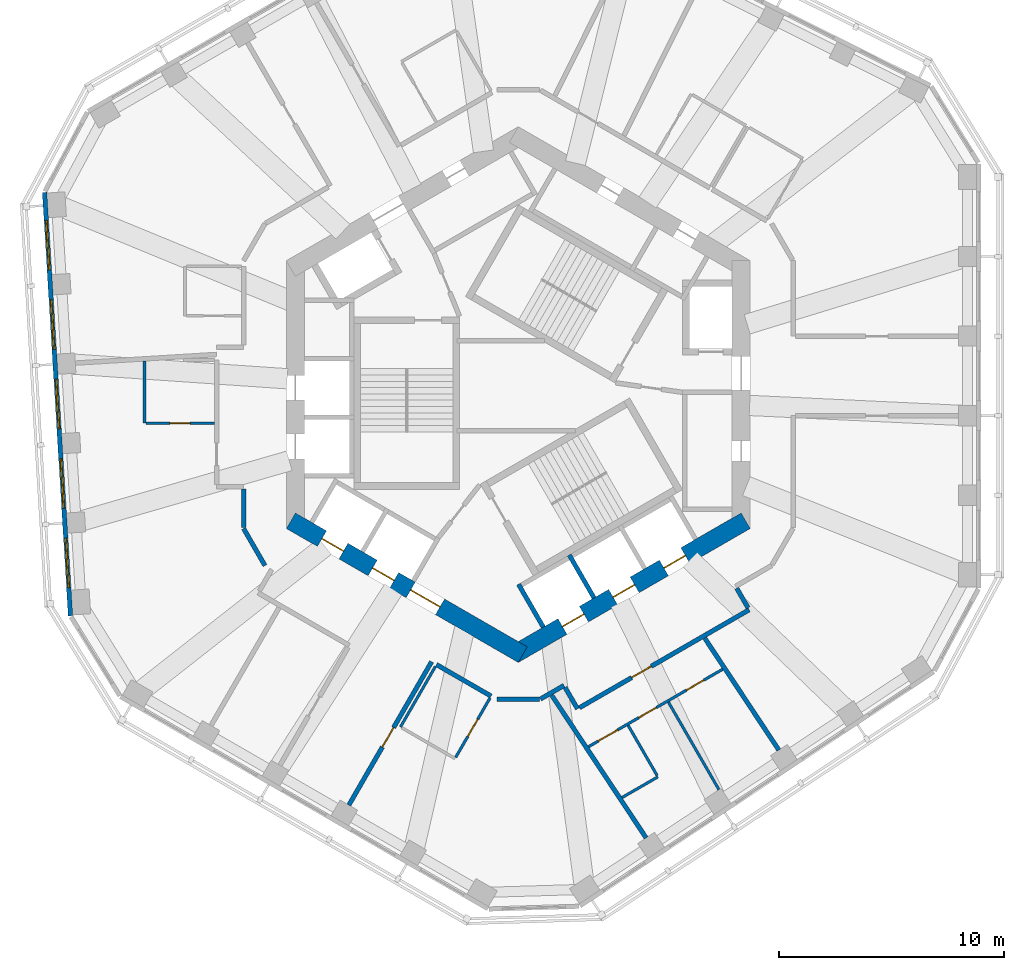
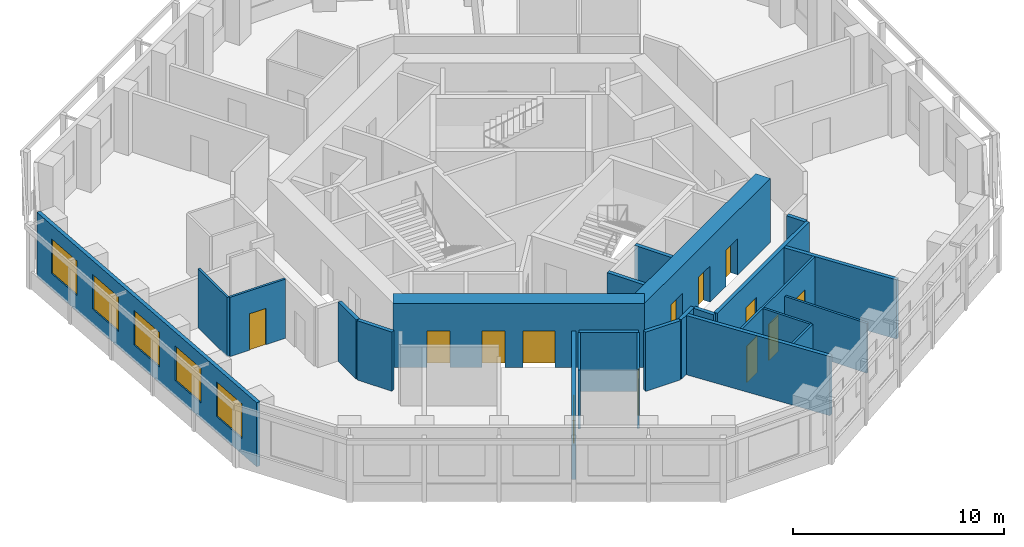
# One storey, part 4 of 11: 24 walls, 13 doors, 5 windows, 18 openings.
"""IFC4 building model written with IfcOpenShell, lengths in metres."""

from ifc_helpers import new_model, si_unit, direction, frame, frame_2d, origin, place, context, subcontext, project, spatial, rectangle, extrude, material, layer, layer_set, type_object, element, fill, save


model = new_model("IFC4")

# Units and contexts
model_context = context("Model", 3, precision=1e-05, world=origin(), true_north=direction((0.0, 1.0)))
body_context = subcontext(model_context, "Body", "Model", "MODEL_VIEW")
ifc_project = project(units=[si_unit("LENGTHUNIT", "METRE"), si_unit("AREAUNIT", "SQUARE_METRE"), si_unit("VOLUMEUNIT", "CUBIC_METRE"), si_unit("PLANEANGLEUNIT", "RADIAN"), si_unit("MASSUNIT", "GRAM", prefix="KILO")], contexts=[model_context])

# Site, building, storey
site_placement = place(None, origin())
site = spatial("IfcSite", under=ifc_project, at=site_placement, CompositionType="ELEMENT")
building_placement = place(site_placement, origin())
building = spatial("IfcBuilding", under=site, at=building_placement, Name="Vanh Sen Convention Tower", CompositionType="ELEMENT")
storey_placement = place(building_placement, frame((0.0, 0.0, 236.5)))
storey = spatial("IfcBuildingStorey", under=building, at=storey_placement, Name="L58", CompositionType="ELEMENT", Elevation=236.5)

# Wall
ifc_material_1 = material(Name="Moisture-resistant gypsum board on steel studs", Category="steel")
ifc_layer_1 = layer(ifc_material_1, 0.1201171875)
ifc_layer_set_1 = layer_set([ifc_layer_1], Name="Moisture-resistant gypsum board on steel studs")
wall_type_1 = type_object("IfcWallType", Name="Bathroom partition 120", PredefinedType="PARTITIONING", material=ifc_layer_set_1)
wall_1_placement = place(storey_placement, frame((-16.60107421875, -1.2666015625, 0.0), z_axis=(0.0, 0.0, 1.0), x_axis=(0.0, 1.0, 0.0)))
element("IfcWall", 1, at=wall_1_placement, inside=storey, type_object=wall_type_1, Name="Bathroom partition 120", PredefinedType="PARTITIONING", context=body_context, shape_type="SweptSolid", body=[
    extrude(rectangle(XDim=2.75, YDim=0.1201171875, at=frame_2d((1.375, 0.0))), origin(), (0.0, 0.0, 1.0), 3.419921875),
])

# Wall, opening, door
wall_2_placement = place(storey_placement, frame((-13.5009765625, -1.2666015625, 0.0), z_axis=(0.0, 0.0, 1.0), x_axis=(-1.0, 0.0, 0.0)))
wall_2 = element("IfcWall", 2, at=wall_2_placement, inside=storey, type_object=wall_type_1, Name="Bathroom partition 120", PredefinedType="PARTITIONING", context=body_context, shape_type="SweptSolid", body=[
    extrude(rectangle(XDim=3.0400390625, YDim=0.1201171875, at=frame_2d((1.52001953125, 0.0))), origin(), (0.0, 0.0, 1.0), 3.419921875),
])
opening_1_placement = place(wall_2_placement, frame((1.070068359375, 0.0, 0.0)))
opening_1 = element("IfcOpeningElement", 3, at=opening_1_placement, cuts=wall_2, Name="Opening D56110", PredefinedType="OPENING", context=body_context, shape_type="SweptSolid", body=[
    extrude(rectangle(XDim=0.89990234375, YDim=2.10009765625, at=frame_2d((0.449951171875, 1.050048828125))), frame((0.0, 0.070068359375, 0.0), z_axis=(0.0, -1.0, 0.0), x_axis=(1.0, 0.0, 0.0)), (0.0, 0.0, 1.0), 0.14013671875),
])
ifc_material_2 = material(Name="Laminate door in steel frame", Category="steel")
door_type_1 = type_object("IfcDoorType", Name="Room internal door 900", OperationType="SINGLE_SWING_LEFT", PredefinedType="DOOR", material=ifc_material_2)
door_1_placement = place(opening_1_placement, origin())
door_1 = element("IfcDoor", 4, at=door_1_placement, inside=storey, type_object=door_type_1, Name="Internal room door D56110", OperationType="SINGLE_SWING_LEFT", OverallHeight=2.10009765625, OverallWidth=0.89990234375, PredefinedType="DOOR", context=body_context, shape_type="SweptSolid", body=[
    extrude(rectangle(XDim=0.89990234375, YDim=2.10009765625, at=frame_2d((0.449951171875, 1.050048828125))), frame((0.0, 0.02490234375, 0.0), z_axis=(0.0, -1.0, 0.0), x_axis=(1.0, 0.0, 0.0)), (0.0, 0.0, 1.0), 0.050048828125),
])
fill(opening_1, door_1)

# Wall
wall_3_placement = place(storey_placement, frame((-5.2333984375, -14.7607421875, 0.0), z_axis=(0.0, 0.0, 1.0), x_axis=(0.499967891604, 0.866043940782, 0.0)))
element("IfcWall", 5, at=wall_3_placement, inside=storey, type_object=wall_type_1, Name="Bathroom partition 120", PredefinedType="PARTITIONING", context=body_context, shape_type="SweptSolid", body=[
    extrude(rectangle(XDim=3.099853515625, YDim=0.1201171875, at=frame_2d((1.5498046875, 0.0))), origin(), (0.0, 0.0, 1.0), 3.419921875),
])

# Wall, opening, door
wall_4_placement = place(storey_placement, frame((-1.258544921875, -13.476318359375, 0.0), z_axis=(0.0, 0.0, 1.0), x_axis=(-0.500026023896, -0.86601037836, 0.0)))
wall_4 = element("IfcWall", 6, at=wall_4_placement, inside=storey, type_object=wall_type_1, Name="Bathroom partition 120", PredefinedType="PARTITIONING", context=body_context, shape_type="SweptSolid", body=[
    extrude(rectangle(XDim=3.039794921875, YDim=0.1201171875, at=frame_2d((1.52001953125, 0.0))), origin(), (0.0, 0.0, 1.0), 3.419921875),
])
opening_2_placement = place(wall_4_placement, frame((1.06982421875, 0.0, 0.0)))
opening_2 = element("IfcOpeningElement", 7, at=opening_2_placement, cuts=wall_4, Name="Opening D56113", PredefinedType="OPENING", context=body_context, shape_type="SweptSolid", body=[
    extrude(rectangle(XDim=0.89990234375, YDim=2.10009765625, at=frame_2d((0.449951171875, 1.050048828125))), frame((0.0, 0.070068359375, 0.0), z_axis=(0.0, -1.0, 0.0), x_axis=(1.0, 0.0, 0.0)), (0.0, 0.0, 1.0), 0.14013671875),
])
door_2_placement = place(opening_2_placement, origin())
door_2 = element("IfcDoor", 8, at=door_2_placement, inside=storey, type_object=door_type_1, Name="Internal room door D56113", OperationType="SINGLE_SWING_LEFT", OverallHeight=2.10009765625, OverallWidth=0.89990234375, PredefinedType="DOOR", context=body_context, shape_type="SweptSolid", body=[
    extrude(rectangle(XDim=0.89990234375, YDim=2.10009765625, at=frame_2d((0.449951171875, 1.050048828125))), frame((0.0, 0.02490234375, 0.0), z_axis=(0.0, -1.0, 0.0), x_axis=(1.0, 0.0, 0.0)), (0.0, 0.0, 1.0), 0.050048828125),
])
fill(opening_2, door_2)

# Wall, openings, doors
wall_5_placement = place(storey_placement, frame((3.11669921875, -15.6376953125, 0.0), z_axis=(0.0, 0.0, 1.0), x_axis=(0.866031365477, 0.499989673903, 0.0)))
wall_5 = element("IfcWall", 9, at=wall_5_placement, inside=storey, type_object=wall_type_1, Name="Bathroom partition 120", PredefinedType="PARTITIONING", context=body_context, shape_type="SweptSolid", body=[
    extrude(rectangle(XDim=6.880615234375, YDim=0.1201171875, at=frame_2d((3.4404296875, 0.0))), origin(), (0.0, 0.0, 1.0), 3.419921875),
])
opening_3_placement = place(wall_5_placement, frame((0.5, 0.0, 0.0)))
opening_3 = element("IfcOpeningElement", 10, at=opening_3_placement, cuts=wall_5, Name="Opening D56115", PredefinedType="OPENING", context=body_context, shape_type="SweptSolid", body=[
    extrude(rectangle(XDim=1.0, YDim=2.10009765625, at=frame_2d((0.5, 1.050048828125))), frame((0.0, 0.070068359375, 0.0), z_axis=(0.0, -1.0, 0.0), x_axis=(1.0, 0.0, 0.0)), (0.0, 0.0, 1.0), 0.14013671875),
])
opening_4_placement = place(wall_5_placement, frame((2.58251953125, 0.0, 0.0)))
opening_4 = element("IfcOpeningElement", 11, at=opening_4_placement, cuts=wall_5, Name="Opening D56116", PredefinedType="OPENING", context=body_context, shape_type="SweptSolid", body=[
    extrude(rectangle(XDim=0.89990234375, YDim=2.10009765625, at=frame_2d((0.449951171875, 1.050048828125))), frame((0.0, 0.070068359375, 0.0), z_axis=(0.0, -1.0, 0.0), x_axis=(1.0, 0.0, 0.0)), (0.0, 0.0, 1.0), 0.14013671875),
])
opening_5_placement = place(wall_5_placement, frame((5.022705078125, 0.0, 0.0)))
opening_5 = element("IfcOpeningElement", 12, at=opening_5_placement, cuts=wall_5, Name="Opening D56117", PredefinedType="OPENING", context=body_context, shape_type="SweptSolid", body=[
    extrude(rectangle(XDim=0.89990234375, YDim=2.10009765625, at=frame_2d((0.449951171875, 1.050048828125))), frame((0.0, 0.070068359375, 0.0), z_axis=(0.0, -1.0, 0.0), x_axis=(1.0, 0.0, 0.0)), (0.0, 0.0, 1.0), 0.14013671875),
])
door_type_2 = type_object("IfcDoorType", Name="Accessible WC door 1000", OperationType="SINGLE_SWING_LEFT", PredefinedType="DOOR", material=ifc_material_2)
door_3_placement = place(opening_3_placement, origin())
door_3 = element("IfcDoor", 13, at=door_3_placement, inside=storey, type_object=door_type_2, Name="Accessible WC door D56115", OperationType="SINGLE_SWING_LEFT", OverallHeight=2.10009765625, OverallWidth=1.0, PredefinedType="DOOR", context=body_context, shape_type="SweptSolid", body=[
    extrude(rectangle(XDim=1.0, YDim=2.10009765625, at=frame_2d((0.5, 1.050048828125))), frame((0.0, 0.02490234375, 0.0), z_axis=(0.0, -1.0, 0.0), x_axis=(1.0, 0.0, 0.0)), (0.0, 0.0, 1.0), 0.050048828125),
])
fill(opening_3, door_3)
door_4_placement = place(opening_4_placement, origin())
door_4 = element("IfcDoor", 14, at=door_4_placement, inside=storey, type_object=door_type_1, Name="Internal room door D56116", OperationType="SINGLE_SWING_LEFT", OverallHeight=2.10009765625, OverallWidth=0.89990234375, PredefinedType="DOOR", context=body_context, shape_type="SweptSolid", body=[
    extrude(rectangle(XDim=0.89990234375, YDim=2.10009765625, at=frame_2d((0.449951171875, 1.050048828125))), frame((0.0, 0.02490234375, 0.0), z_axis=(0.0, -1.0, 0.0), x_axis=(1.0, 0.0, 0.0)), (0.0, 0.0, 1.0), 0.050048828125),
])
fill(opening_4, door_4)
door_5_placement = place(opening_5_placement, origin())
door_5 = element("IfcDoor", 15, at=door_5_placement, inside=storey, type_object=door_type_1, Name="Internal room door D56117", OperationType="SINGLE_SWING_LEFT", OverallHeight=2.10009765625, OverallWidth=0.89990234375, PredefinedType="DOOR", context=body_context, shape_type="SweptSolid", body=[
    extrude(rectangle(XDim=0.89990234375, YDim=2.10009765625, at=frame_2d((0.449951171875, 1.050048828125))), frame((0.0, 0.02490234375, 0.0), z_axis=(0.0, -1.0, 0.0), x_axis=(1.0, 0.0, 0.0)), (0.0, 0.0, 1.0), 0.050048828125),
])
fill(opening_5, door_5)

# Walls
wall_6_placement = place(storey_placement, frame((4.60986328125, -17.893310546875, 0.0), z_axis=(0.0, 0.0, 1.0), x_axis=(0.866023842607, 0.500002704028, 0.0)))
element("IfcWall", 16, at=wall_6_placement, inside=storey, type_object=wall_type_1, Name="Bathroom partition 120", PredefinedType="PARTITIONING", context=body_context, shape_type="SweptSolid", body=[
    extrude(rectangle(XDim=1.8349609375, YDim=0.1201171875, at=frame_2d((0.91748046875, 0.0))), origin(), (0.0, 0.0, 1.0), 3.419921875),
])
wall_7_placement = place(storey_placement, frame((6.1689453125, -16.923828125, 0.0), z_axis=(0.0, 0.0, 1.0), x_axis=(-0.500047388771, 0.865998042136, 0.0)))
element("IfcWall", 17, at=wall_7_placement, inside=storey, type_object=wall_type_1, Name="Bathroom partition 120", PredefinedType="PARTITIONING", context=body_context, shape_type="SweptSolid", body=[
    extrude(rectangle(XDim=2.579833984375, YDim=0.1201171875, at=frame_2d((1.2900390625, 0.0))), origin(), (0.0, 0.0, 1.0), 3.419921875),
])
wall_8_placement = place(storey_placement, frame((8.912353515625, -17.54541015625, 0.0), z_axis=(0.0, 0.0, 1.0), x_axis=(-0.500022113525, 0.866012636158, 0.0)))
element("IfcWall", 18, at=wall_8_placement, inside=storey, type_object=wall_type_1, Name="Bathroom partition 120", PredefinedType="PARTITIONING", context=body_context, shape_type="SweptSolid", body=[
    extrude(rectangle(XDim=4.489990234375, YDim=0.1201171875, at=frame_2d((2.2451171875, 0.0))), origin(), (0.0, 0.0, 1.0), 2.8701171875),
])

# Wall, openings, doors
ifc_material_3 = material(Name="Concrete C60/75", Category="concrete")
ifc_layer_2 = layer(ifc_material_3, 0.800048828125)
ifc_layer_set_2 = layer_set([ifc_layer_2], Name="Concrete C60/75")
wall_type_2 = type_object("IfcWallType", Name="Core outer wall 800 C60/75", PredefinedType="SHEAR", material=ifc_layer_set_2)
wall_9_placement = place(storey_placement, frame((-10.10009765625, -5.600341796875, 0.0), z_axis=(0.0, 0.0, 1.0), x_axis=(0.866023897231, -0.500002609418, 0.0)))
wall_9 = element("IfcWall", 19, at=wall_9_placement, inside=storey, type_object=wall_type_2, Name="Core wall face SW L58", PredefinedType="SHEAR", context=body_context, shape_type="SweptSolid", body=[
    extrude(rectangle(XDim=11.8935546875, YDim=0.800048828125, at=frame_2d((5.94677734375, 0.0))), origin(), (0.0, 0.0, 1.0), 3.699951171875),
])
opening_6_placement = place(wall_9_placement, frame((6.146728515625, 0.0, 0.0)))
opening_6 = element("IfcOpeningElement", 20, at=opening_6_placement, cuts=wall_9, Name="Opening D56003", PredefinedType="OPENING", context=body_context, shape_type="SweptSolid", body=[
    extrude(rectangle(XDim=1.5, YDim=2.10009765625, at=frame_2d((0.75, 1.050048828125))), frame((0.0, 0.409912109375, 0.0), z_axis=(0.0, -1.0, 0.0), x_axis=(1.0, 0.0, 0.0)), (0.0, 0.0, 1.0), 0.820068359375),
])
opening_7_placement = place(wall_9_placement, frame((1.5966796875, 0.0, 0.0)))
opening_7 = element("IfcOpeningElement", 21, at=opening_7_placement, cuts=wall_9, Name="Opening LD-HR3", PredefinedType="OPENING", context=body_context, shape_type="SweptSolid", body=[
    extrude(rectangle(XDim=1.10009765625, YDim=2.10009765625, at=frame_2d((0.550048828125, 1.050048828125))), frame((0.0, 0.409912109375, 0.0), z_axis=(0.0, -1.0, 0.0), x_axis=(1.0, 0.0, 0.0)), (0.0, 0.0, 1.0), 0.820068359375),
])
opening_8_placement = place(wall_9_placement, frame((4.19677734375, 0.0, 0.0)))
opening_8 = element("IfcOpeningElement", 22, at=opening_8_placement, cuts=wall_9, Name="Opening LD-HR4", PredefinedType="OPENING", context=body_context, shape_type="SweptSolid", body=[
    extrude(rectangle(XDim=1.10009765625, YDim=2.10009765625, at=frame_2d((0.550048828125, 1.050048828125))), frame((0.0, 0.409912109375, 0.0), z_axis=(0.0, -1.0, 0.0), x_axis=(1.0, 0.0, 0.0)), (0.0, 0.0, 1.0), 0.820068359375),
])
ifc_material_4 = material(Name="Stainless steel", Category="steel")
door_type_3 = type_object("IfcDoorType", Name="Lift landing door 1100", OperationType="DOUBLE_DOOR_SLIDING", PredefinedType="DOOR", material=ifc_material_4)
door_6_placement = place(opening_7_placement, origin())
door_6 = element("IfcDoor", 23, at=door_6_placement, inside=storey, type_object=door_type_3, Name="Lift HR3 landing door LD-HR3", OperationType="DOUBLE_DOOR_SLIDING", OverallHeight=2.10009765625, OverallWidth=1.10009765625, PredefinedType="DOOR", context=body_context, shape_type="SweptSolid", body=[
    extrude(rectangle(XDim=1.10009765625, YDim=2.10009765625, at=frame_2d((0.550048828125, 1.050048828125))), frame((0.0, 0.02490234375, 0.0), z_axis=(0.0, -1.0, 0.0), x_axis=(1.0, 0.0, 0.0)), (0.0, 0.0, 1.0), 0.050048828125),
])
fill(opening_7, door_6)
door_7_placement = place(opening_8_placement, origin())
door_7 = element("IfcDoor", 24, at=door_7_placement, inside=storey, type_object=door_type_3, Name="Lift HR4 landing door LD-HR4", OperationType="DOUBLE_DOOR_SLIDING", OverallHeight=2.10009765625, OverallWidth=1.10009765625, PredefinedType="DOOR", context=body_context, shape_type="SweptSolid", body=[
    extrude(rectangle(XDim=1.10009765625, YDim=2.10009765625, at=frame_2d((0.550048828125, 1.050048828125))), frame((0.0, 0.02490234375, 0.0), z_axis=(0.0, -1.0, 0.0), x_axis=(1.0, 0.0, 0.0)), (0.0, 0.0, 1.0), 0.050048828125),
])
fill(opening_8, door_7)
ifc_material_5 = material(Name="Steel S355", Category="steel")
door_type_4 = type_object("IfcDoorType", Name="Stair lobby door 1500", OperationType="DOUBLE_DOOR_SINGLE_SWING", PredefinedType="DOOR", material=ifc_material_5)
door_8_placement = place(opening_6_placement, origin())
door_8 = element("IfcDoor", 25, at=door_8_placement, inside=storey, type_object=door_type_4, Name="Stair lobby door D56003", OperationType="DOUBLE_DOOR_SINGLE_SWING", OverallHeight=2.10009765625, OverallWidth=1.5, PredefinedType="DOOR", context=body_context, shape_type="SweptSolid", body=[
    extrude(rectangle(XDim=1.5, YDim=2.10009765625, at=frame_2d((0.75, 1.050048828125))), frame((0.0, 0.02490234375, 0.0), z_axis=(0.0, -1.0, 0.0), x_axis=(1.0, 0.0, 0.0)), (0.0, 0.0, 1.0), 0.050048828125),
])
fill(opening_6, door_8)

wall_10_placement = place(storey_placement, frame((-0.199951171875, -11.547119140625, 0.0), z_axis=(0.0, 0.0, 1.0), x_axis=(0.866023897231, 0.500002609418, 0.0)))
wall_10 = element("IfcWall", 26, at=wall_10_placement, inside=storey, type_object=wall_type_2, Name="Core wall face SE L58", PredefinedType="SHEAR", context=body_context, shape_type="SweptSolid", body=[
    extrude(rectangle(XDim=11.8935546875, YDim=0.800048828125, at=frame_2d((5.94677734375, 0.0))), origin(), (0.0, 0.0, 1.0), 3.699951171875),
])
opening_9_placement = place(wall_10_placement, frame((2.49658203125, 0.0, 0.0)))
opening_9 = element("IfcOpeningElement", 27, at=opening_9_placement, cuts=wall_10, Name="Opening LD-HR5", PredefinedType="OPENING", context=body_context, shape_type="SweptSolid", body=[
    extrude(rectangle(XDim=1.10009765625, YDim=2.10009765625, at=frame_2d((0.550048828125, 1.050048828125))), frame((0.0, 0.409912109375, 0.0), z_axis=(0.0, -1.0, 0.0), x_axis=(1.0, 0.0, 0.0)), (0.0, 0.0, 1.0), 0.820068359375),
])
opening_10_placement = place(wall_10_placement, frame((5.0966796875, 0.0, 0.0)))
opening_10 = element("IfcOpeningElement", 28, at=opening_10_placement, cuts=wall_10, Name="Opening LD-HR6", PredefinedType="OPENING", context=body_context, shape_type="SweptSolid", body=[
    extrude(rectangle(XDim=1.10009765625, YDim=2.10009765625, at=frame_2d((0.550048828125, 1.050048828125))), frame((0.0, 0.409912109375, 0.0), z_axis=(0.0, -1.0, 0.0), x_axis=(1.0, 0.0, 0.0)), (0.0, 0.0, 1.0), 0.820068359375),
])
opening_11_placement = place(wall_10_placement, frame((7.69677734375, 0.0, 0.0)))
opening_11 = element("IfcOpeningElement", 29, at=opening_11_placement, cuts=wall_10, Name="Opening LD-SV1", PredefinedType="OPENING", context=body_context, shape_type="SweptSolid", body=[
    extrude(rectangle(XDim=1.10009765625, YDim=2.10009765625, at=frame_2d((0.550048828125, 1.050048828125))), frame((0.0, 0.409912109375, 0.0), z_axis=(0.0, -1.0, 0.0), x_axis=(1.0, 0.0, 0.0)), (0.0, 0.0, 1.0), 0.820068359375),
])
door_9_placement = place(opening_9_placement, origin())
door_9 = element("IfcDoor", 30, at=door_9_placement, inside=storey, type_object=door_type_3, Name="Lift HR5 landing door LD-HR5", OperationType="DOUBLE_DOOR_SLIDING", OverallHeight=2.10009765625, OverallWidth=1.10009765625, PredefinedType="DOOR", context=body_context, shape_type="SweptSolid", body=[
    extrude(rectangle(XDim=1.10009765625, YDim=2.10009765625, at=frame_2d((0.550048828125, 1.050048828125))), frame((0.0, 0.02490234375, 0.0), z_axis=(0.0, -1.0, 0.0), x_axis=(1.0, 0.0, 0.0)), (0.0, 0.0, 1.0), 0.050048828125),
])
fill(opening_9, door_9)
door_10_placement = place(opening_10_placement, origin())
door_10 = element("IfcDoor", 31, at=door_10_placement, inside=storey, type_object=door_type_3, Name="Lift HR6 landing door LD-HR6", OperationType="DOUBLE_DOOR_SLIDING", OverallHeight=2.10009765625, OverallWidth=1.10009765625, PredefinedType="DOOR", context=body_context, shape_type="SweptSolid", body=[
    extrude(rectangle(XDim=1.10009765625, YDim=2.10009765625, at=frame_2d((0.550048828125, 1.050048828125))), frame((0.0, 0.02490234375, 0.0), z_axis=(0.0, -1.0, 0.0), x_axis=(1.0, 0.0, 0.0)), (0.0, 0.0, 1.0), 0.050048828125),
])
fill(opening_10, door_10)
door_11_placement = place(opening_11_placement, origin())
door_11 = element("IfcDoor", 32, at=door_11_placement, inside=storey, type_object=door_type_3, Name="Lift SV1 landing door LD-SV1", OperationType="DOUBLE_DOOR_SLIDING", OverallHeight=2.10009765625, OverallWidth=1.10009765625, PredefinedType="DOOR", context=body_context, shape_type="SweptSolid", body=[
    extrude(rectangle(XDim=1.10009765625, YDim=2.10009765625, at=frame_2d((0.550048828125, 1.050048828125))), frame((0.0, 0.02490234375, 0.0), z_axis=(0.0, -1.0, 0.0), x_axis=(1.0, 0.0, 0.0)), (0.0, 0.0, 1.0), 0.050048828125),
])
fill(opening_11, door_11)

# Walls
ifc_material_6 = material(Name="Gypsum board on steel studs with mineral wool", Category="steel")
ifc_layer_3 = layer(ifc_material_6, 0.199951171875)
ifc_layer_set_3 = layer_set([ifc_layer_3], Name="Gypsum board on steel studs with mineral wool")
wall_type_3 = type_object("IfcWallType", Name="Corridor partition wall 200", PredefinedType="PARTITIONING", material=ifc_layer_set_3)
wall_11_placement = place(storey_placement, frame((-12.199951171875, -5.94677734375, 0.0), z_axis=(0.0, 0.0, 1.0), x_axis=(0.500022797313, -0.86601224135, 0.0)))
element("IfcWall", 33, at=wall_11_placement, inside=storey, type_object=wall_type_3, Name="Corridor partition wall 200", PredefinedType="PARTITIONING", context=body_context, shape_type="SweptSolid", body=[
    extrude(rectangle(XDim=1.89990234375, YDim=0.199951171875, at=frame_2d((0.949951171875, 0.0))), origin(), (0.0, 0.0, 1.0), 3.419921875),
])
wall_12_placement = place(storey_placement, frame((-12.199951171875, -4.200927734375, 0.0), z_axis=(0.0, 0.0, 1.0), x_axis=(0.0, -1.0, 0.0)))
element("IfcWall", 34, at=wall_12_placement, inside=storey, type_object=wall_type_3, Name="Corridor partition wall 200", PredefinedType="PARTITIONING", context=body_context, shape_type="SweptSolid", body=[
    extrude(rectangle(XDim=1.705810546875, YDim=0.199951171875, at=frame_2d((0.85302734375, 0.0))), origin(), (0.0, 0.0, 1.0), 3.419921875),
])

# Wall, opening, door
wall_13_placement = place(storey_placement, frame((-7.52490234375, -18.229736328125, 0.0), z_axis=(0.0, 0.0, 1.0), x_axis=(0.499983153418, 0.866035129944, 0.0)))
wall_13 = element("IfcWall", 35, at=wall_13_placement, inside=storey, type_object=wall_type_3, Name="Corridor partition wall 200", PredefinedType="PARTITIONING", context=body_context, shape_type="SweptSolid", body=[
    extrude(rectangle(XDim=7.349853515625, YDim=0.199951171875, at=frame_2d((3.6748046875, 0.0))), origin(), (0.0, 0.0, 1.0), 3.419921875),
])
opening_12_placement = place(wall_13_placement, frame((2.97509765625, 0.0, 0.0)))
opening_12 = element("IfcOpeningElement", 36, at=opening_12_placement, cuts=wall_13, Name="Opening D56112", PredefinedType="OPENING", context=body_context, shape_type="SweptSolid", body=[
    extrude(rectangle(XDim=1.0, YDim=2.10009765625, at=frame_2d((0.5, 1.050048828125))), frame((0.0, 0.10986328125, 0.0), z_axis=(0.0, -1.0, 0.0), x_axis=(1.0, 0.0, 0.0)), (0.0, 0.0, 1.0), 0.219970703125),
])
ifc_material_7 = material(Name="Glazed fire door in steel frame", Category="steel")
door_type_5 = type_object("IfcDoorType", Name="Tenant entrance door 1000", OperationType="SINGLE_SWING_LEFT", PredefinedType="DOOR", material=ifc_material_7)
door_12_placement = place(opening_12_placement, origin())
door_12 = element("IfcDoor", 37, at=door_12_placement, inside=storey, type_object=door_type_5, Name="Tenant suite entrance door D56112", OperationType="SINGLE_SWING_LEFT", OverallHeight=2.10009765625, OverallWidth=1.0, PredefinedType="DOOR", context=body_context, shape_type="SweptSolid", body=[
    extrude(rectangle(XDim=1.0, YDim=2.10009765625, at=frame_2d((0.5, 1.050048828125))), frame((0.0, 0.02490234375, 0.0), z_axis=(0.0, -1.0, 0.0), x_axis=(1.0, 0.0, 0.0)), (0.0, 0.0, 1.0), 0.050048828125),
])
fill(opening_12, door_12)

# Walls
wall_14_placement = place(storey_placement, frame((-3.633544921875, -11.989501953125, 0.0), z_axis=(0.0, 0.0, 1.0), x_axis=(0.866018616679, -0.500011755427, 0.0)))
element("IfcWall", 38, at=wall_14_placement, inside=storey, type_object=wall_type_3, Name="Corridor partition wall 200", PredefinedType="PARTITIONING", context=body_context, shape_type="SweptSolid", body=[
    extrude(rectangle(XDim=2.80029296875, YDim=0.199951171875, at=frame_2d((1.400146484375, 0.0))), origin(), (0.0, 0.0, 1.0), 3.419921875),
])
wall_15_placement = place(storey_placement, frame((-0.949951171875, -13.538818359375, 0.0), z_axis=(0.0, 0.0, 1.0), x_axis=(1.0, 0.0, 0.0)))
element("IfcWall", 39, at=wall_15_placement, inside=storey, type_object=wall_type_3, Name="Corridor partition wall 200", PredefinedType="PARTITIONING", context=body_context, shape_type="SweptSolid", body=[
    extrude(rectangle(XDim=1.89990234375, YDim=0.199951171875, at=frame_2d((0.949951171875, 0.0))), origin(), (0.0, 0.0, 1.0), 3.419921875),
])
wall_16_placement = place(storey_placement, frame((0.984619140625, -13.518798828125, 0.0), z_axis=(0.0, 0.0, 1.0), x_axis=(0.866054082991, 0.499950322867, 0.0)))
element("IfcWall", 40, at=wall_16_placement, inside=storey, type_object=wall_type_3, Name="Corridor partition wall 200", PredefinedType="PARTITIONING", context=body_context, shape_type="SweptSolid", body=[
    extrude(rectangle(XDim=1.20556640625, YDim=0.199951171875, at=frame_2d((0.602783203125, 0.0))), origin(), (0.0, 0.0, 1.0), 3.419921875),
])
wall_17_placement = place(storey_placement, frame((2.078857421875, -13.002685546875, 0.0), z_axis=(0.0, 0.0, 1.0), x_axis=(0.500074377092, -0.865982457891, 0.0)))
element("IfcWall", 41, at=wall_17_placement, inside=storey, type_object=wall_type_3, Name="Corridor partition wall 200", PredefinedType="PARTITIONING", context=body_context, shape_type="SweptSolid", body=[
    extrude(rectangle(XDim=1.100830078125, YDim=0.199951171875, at=frame_2d((0.55029296875, 0.0))), origin(), (0.0, 0.0, 1.0), 3.419921875),
])

# Wall, opening, door
wall_18_placement = place(storey_placement, frame((2.7158203125, -13.906005859375, 0.0), z_axis=(0.0, 0.0, 1.0), x_axis=(0.866040290674, 0.499974214264, 0.0)))
wall_18 = element("IfcWall", 42, at=wall_18_placement, inside=storey, type_object=wall_type_3, Name="Corridor partition wall 200", PredefinedType="PARTITIONING", context=body_context, shape_type="SweptSolid", body=[
    extrude(rectangle(XDim=8.7021484375, YDim=0.199951171875, at=frame_2d((4.35107421875, 0.0))), origin(), (0.0, 0.0, 1.0), 3.419921875),
])
opening_13_placement = place(wall_18_placement, frame((2.678955078125, 0.0, 0.0)))
opening_13 = element("IfcOpeningElement", 43, at=opening_13_placement, cuts=wall_18, Name="Opening D56114", PredefinedType="OPENING", context=body_context, shape_type="SweptSolid", body=[
    extrude(rectangle(XDim=1.0, YDim=2.10009765625, at=frame_2d((0.5, 1.050048828125))), frame((0.0, 0.10986328125, 0.0), z_axis=(0.0, -1.0, 0.0), x_axis=(1.0, 0.0, 0.0)), (0.0, 0.0, 1.0), 0.219970703125),
])
ifc_material_8 = material(Name="Timber fire door in steel frame", Category="steel")
door_type_6 = type_object("IfcDoorType", Name="Floor room door 1000", OperationType="SINGLE_SWING_LEFT", PredefinedType="DOOR", material=ifc_material_8)
door_13_placement = place(opening_13_placement, origin())
door_13 = element("IfcDoor", 44, at=door_13_placement, inside=storey, type_object=door_type_6, Name="Meeting and amenity room door D56114", OperationType="SINGLE_SWING_LEFT", OverallHeight=2.10009765625, OverallWidth=1.0, PredefinedType="DOOR", context=body_context, shape_type="SweptSolid", body=[
    extrude(rectangle(XDim=1.0, YDim=2.10009765625, at=frame_2d((0.5, 1.050048828125))), frame((0.0, 0.02490234375, 0.0), z_axis=(0.0, -1.0, 0.0), x_axis=(1.0, 0.0, 0.0)), (0.0, 0.0, 1.0), 0.050048828125),
])
fill(opening_13, door_13)

# Wall
wall_19_placement = place(storey_placement, frame((10.2021484375, -9.468505859375, 0.0), z_axis=(0.0, 0.0, 1.0), x_axis=(-0.499968756647, 0.866043441391, 0.0)))
element("IfcWall", 45, at=wall_19_placement, inside=storey, type_object=wall_type_3, Name="Corridor partition wall 200", PredefinedType="PARTITIONING", context=body_context, shape_type="SweptSolid", body=[
    extrude(rectangle(XDim=1.0009765625, YDim=0.199951171875, at=frame_2d((0.50048828125, 0.0))), origin(), (0.0, 0.0, 1.0), 3.419921875),
])

# Wall, openings, windows
ifc_material_9 = material(Name="Insulated lightweight infill wall")
ifc_layer_4 = layer(ifc_material_9, 0.199951171875)
ifc_layer_set_4 = layer_set([ifc_layer_4], Name="Insulated lightweight infill wall")
wall_type_4 = type_object("IfcWallType", Name="External wall 200", PredefinedType="STANDARD", material=ifc_layer_set_4)
wall_20_placement = place(storey_placement, frame((-21.03759765625, 8.983642578125, 0.0), z_axis=(0.0, 0.0, 1.0), x_axis=(0.061043935634, -0.998135079998, 0.0)))
wall_20 = element("IfcWall", 46, at=wall_20_placement, inside=storey, type_object=wall_type_4, Name="External wall W L58", PredefinedType="STANDARD", context=body_context, shape_type="SweptSolid", body=[
    extrude(rectangle(XDim=18.84130859375, YDim=0.199951171875, at=frame_2d((9.420654296875, 0.0))), origin(), (0.0, 0.0, 1.0), 3.699951171875),
])
opening_14_placement = place(wall_20_placement, frame((1.252685546875, 0.0, 0.89990234375)))
opening_14 = element("IfcOpeningElement", 47, at=opening_14_placement, cuts=wall_20, Name="Opening WO3-W1", PredefinedType="OPENING", context=body_context, shape_type="SweptSolid", body=[
    extrude(rectangle(XDim=2.199951171875, YDim=2.0, at=frame_2d((1.10009765625, 1.0))), frame((0.0, 0.10986328125, 0.0), z_axis=(0.0, -1.0, 0.0), x_axis=(1.0, 0.0, 0.0)), (0.0, 0.0, 1.0), 0.219970703125),
])
opening_15_placement = place(wall_20_placement, frame((4.7861328125, 0.0, 0.89990234375)))
opening_15 = element("IfcOpeningElement", 48, at=opening_15_placement, cuts=wall_20, Name="Opening WO3-W2", PredefinedType="OPENING", context=body_context, shape_type="SweptSolid", body=[
    extrude(rectangle(XDim=2.199951171875, YDim=2.0, at=frame_2d((1.10009765625, 1.0))), frame((0.0, 0.10986328125, 0.0), z_axis=(0.0, -1.0, 0.0), x_axis=(1.0, 0.0, 0.0)), (0.0, 0.0, 1.0), 0.219970703125),
])
opening_16_placement = place(wall_20_placement, frame((8.31982421875, 0.0, 0.89990234375)))
opening_16 = element("IfcOpeningElement", 49, at=opening_16_placement, cuts=wall_20, Name="Opening WO3-W3", PredefinedType="OPENING", context=body_context, shape_type="SweptSolid", body=[
    extrude(rectangle(XDim=2.199951171875, YDim=2.0, at=frame_2d((1.10009765625, 1.0))), frame((0.0, 0.10986328125, 0.0), z_axis=(0.0, -1.0, 0.0), x_axis=(1.0, 0.0, 0.0)), (0.0, 0.0, 1.0), 0.219970703125),
])
opening_17_placement = place(wall_20_placement, frame((11.853515625, 0.0, 0.89990234375)))
opening_17 = element("IfcOpeningElement", 50, at=opening_17_placement, cuts=wall_20, Name="Opening WO3-W4", PredefinedType="OPENING", context=body_context, shape_type="SweptSolid", body=[
    extrude(rectangle(XDim=2.199951171875, YDim=2.0, at=frame_2d((1.10009765625, 1.0))), frame((0.0, 0.10986328125, 0.0), z_axis=(0.0, -1.0, 0.0), x_axis=(1.0, 0.0, 0.0)), (0.0, 0.0, 1.0), 0.219970703125),
])
opening_18_placement = place(wall_20_placement, frame((15.38720703125, 0.0, 0.89990234375)))
opening_18 = element("IfcOpeningElement", 51, at=opening_18_placement, cuts=wall_20, Name="Opening WO3-W5", PredefinedType="OPENING", context=body_context, shape_type="SweptSolid", body=[
    extrude(rectangle(XDim=2.199951171875, YDim=2.0, at=frame_2d((1.10009765625, 1.0))), frame((0.0, 0.10986328125, 0.0), z_axis=(0.0, -1.0, 0.0), x_axis=(1.0, 0.0, 0.0)), (0.0, 0.0, 1.0), 0.219970703125),
])
ifc_material_10 = material(Name="Aluminium frame with clear low-emissivity glass", Category="aluminium")
window_type = type_object("IfcWindowType", Name="Office window 2200 x 2000", PartitioningType="SINGLE_PANEL", PredefinedType="WINDOW", material=ifc_material_10)
window_1_placement = place(opening_14_placement, origin())
window_1 = element("IfcWindow", 52, at=window_1_placement, inside=storey, type_object=window_type, Name="Window WO3-W1", OverallHeight=2.0, OverallWidth=2.199951171875, PartitioningType="SINGLE_PANEL", PredefinedType="WINDOW", context=body_context, shape_type="SweptSolid", body=[
    extrude(rectangle(XDim=2.199951171875, YDim=2.0, at=frame_2d((1.10009765625, 1.0))), frame((0.0, 0.030029296875, 0.0), z_axis=(0.0, -1.0, 0.0), x_axis=(1.0, 0.0, 0.0)), (0.0, 0.0, 1.0), 0.06005859375),
])
fill(opening_14, window_1)
window_2_placement = place(opening_15_placement, origin())
window_2 = element("IfcWindow", 53, at=window_2_placement, inside=storey, type_object=window_type, Name="Window WO3-W2", OverallHeight=2.0, OverallWidth=2.199951171875, PartitioningType="SINGLE_PANEL", PredefinedType="WINDOW", context=body_context, shape_type="SweptSolid", body=[
    extrude(rectangle(XDim=2.199951171875, YDim=2.0, at=frame_2d((1.10009765625, 1.0))), frame((0.0, 0.030029296875, 0.0), z_axis=(0.0, -1.0, 0.0), x_axis=(1.0, 0.0, 0.0)), (0.0, 0.0, 1.0), 0.06005859375),
])
fill(opening_15, window_2)
window_3_placement = place(opening_16_placement, origin())
window_3 = element("IfcWindow", 54, at=window_3_placement, inside=storey, type_object=window_type, Name="Window WO3-W3", OverallHeight=2.0, OverallWidth=2.199951171875, PartitioningType="SINGLE_PANEL", PredefinedType="WINDOW", context=body_context, shape_type="SweptSolid", body=[
    extrude(rectangle(XDim=2.199951171875, YDim=2.0, at=frame_2d((1.10009765625, 1.0))), frame((0.0, 0.030029296875, 0.0), z_axis=(0.0, -1.0, 0.0), x_axis=(1.0, 0.0, 0.0)), (0.0, 0.0, 1.0), 0.06005859375),
])
fill(opening_16, window_3)
window_4_placement = place(opening_17_placement, origin())
window_4 = element("IfcWindow", 55, at=window_4_placement, inside=storey, type_object=window_type, Name="Window WO3-W4", OverallHeight=2.0, OverallWidth=2.199951171875, PartitioningType="SINGLE_PANEL", PredefinedType="WINDOW", context=body_context, shape_type="SweptSolid", body=[
    extrude(rectangle(XDim=2.199951171875, YDim=2.0, at=frame_2d((1.10009765625, 1.0))), frame((0.0, 0.030029296875, 0.0), z_axis=(0.0, -1.0, 0.0), x_axis=(1.0, 0.0, 0.0)), (0.0, 0.0, 1.0), 0.06005859375),
])
fill(opening_17, window_4)
window_5_placement = place(opening_18_placement, origin())
window_5 = element("IfcWindow", 56, at=window_5_placement, inside=storey, type_object=window_type, Name="Window WO3-W5", OverallHeight=2.0, OverallWidth=2.199951171875, PartitioningType="SINGLE_PANEL", PredefinedType="WINDOW", context=body_context, shape_type="SweptSolid", body=[
    extrude(rectangle(XDim=2.199951171875, YDim=2.0, at=frame_2d((1.10009765625, 1.0))), frame((0.0, 0.030029296875, 0.0), z_axis=(0.0, -1.0, 0.0), x_axis=(1.0, 0.0, 0.0)), (0.0, 0.0, 1.0), 0.06005859375),
])
fill(opening_18, window_5)

# Walls
ifc_material_11 = material(Name="Concrete C40/50", Category="concrete")
ifc_layer_5 = layer(ifc_material_11, 0.199951171875)
ifc_layer_set_5 = layer_set([ifc_layer_5], Name="Concrete C40/50")
wall_type_5 = type_object("IfcWallType", Name="Lift shaft wall 200", PredefinedType="PARTITIONING", material=ifc_layer_set_5)
for number, where, z_axis, x_axis, name in (
    (57, (0.0126953125, -8.422119140625, 0.0), (0.0, 0.0, 1.0), (0.500077893725, -0.86598042715, 0.0), "Lift shaft wall L58"),
    (58, (2.264404296875, -7.1220703125, 0.0), (0.0, 0.0, 1.0), (0.500077893725, -0.86598042715, 0.0), "Lift shaft wall L58"),
):
    element("IfcWall", number, at=place(storey_placement, frame(where, z_axis=z_axis, x_axis=x_axis)), inside=storey, type_object=wall_type_5, Name=name, PredefinedType="PARTITIONING", context=body_context, shape_type="SweptSolid", body=[
        extrude(rectangle(XDim=2.199951171875, YDim=0.199951171875, at=frame_2d((1.10009765625, 0.0))), origin(), (0.0, 0.0, 1.0), 3.419921875),
    ])
ifc_layer_6 = layer(ifc_material_6, 0.199951171875)
ifc_layer_set_6 = layer_set([ifc_layer_6], Name="Gypsum board on steel studs with mineral wool")
wall_type_6 = type_object("IfcWallType", Name="Tenant suite wall 200", PredefinedType="PARTITIONING", material=ifc_layer_set_6)
wall_21_placement = place(storey_placement, frame((5.67724609375, -19.686767578125, 0.0), z_axis=(0.0, 0.0, 1.0), x_axis=(-0.551936619203, 0.833886064389, 0.0)))
element("IfcWall", 59, at=wall_21_placement, inside=storey, type_object=wall_type_6, Name="Tenant suite wall 200", PredefinedType="PARTITIONING", context=body_context, shape_type="SweptSolid", body=[
    extrude(rectangle(XDim=7.59228515625, YDim=0.199951171875, at=frame_2d((3.796142578125, 0.0))), origin(), (0.0, 0.0, 1.0), 3.419921875),
])
wall_22_placement = place(storey_placement, frame((11.570556640625, -15.7861328125, 0.0), z_axis=(0.0, 0.0, 1.0), x_axis=(-0.551944861763, 0.833880608705, 0.0)))
element("IfcWall", 60, at=wall_22_placement, inside=storey, type_object=wall_type_6, Name="Tenant suite wall 200", PredefinedType="PARTITIONING", context=body_context, shape_type="SweptSolid", body=[
    extrude(rectangle(XDim=5.956787109375, YDim=0.199951171875, at=frame_2d((2.978515625, 0.0))), origin(), (0.0, 0.0, 1.0), 3.419921875),
])

save(model, "model.ifc")
